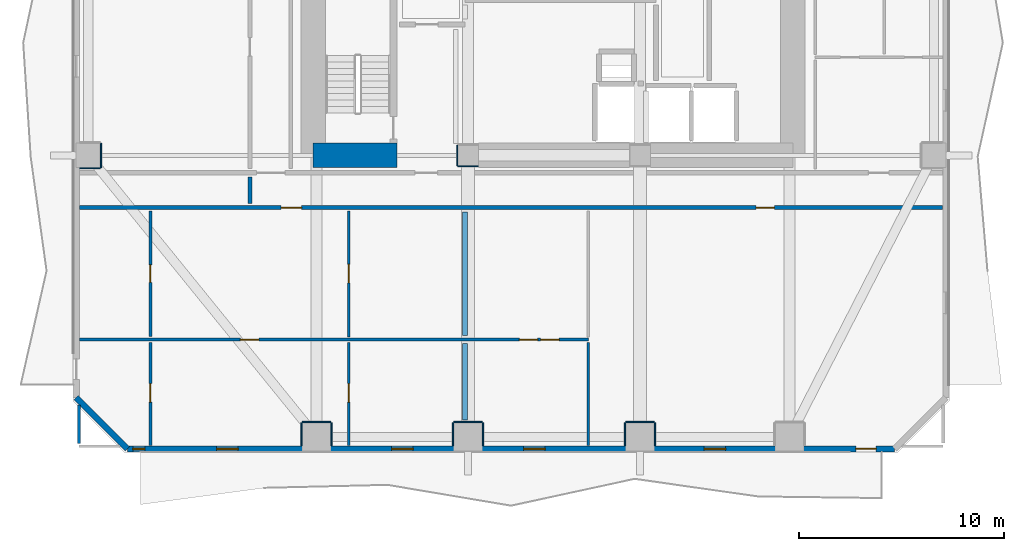
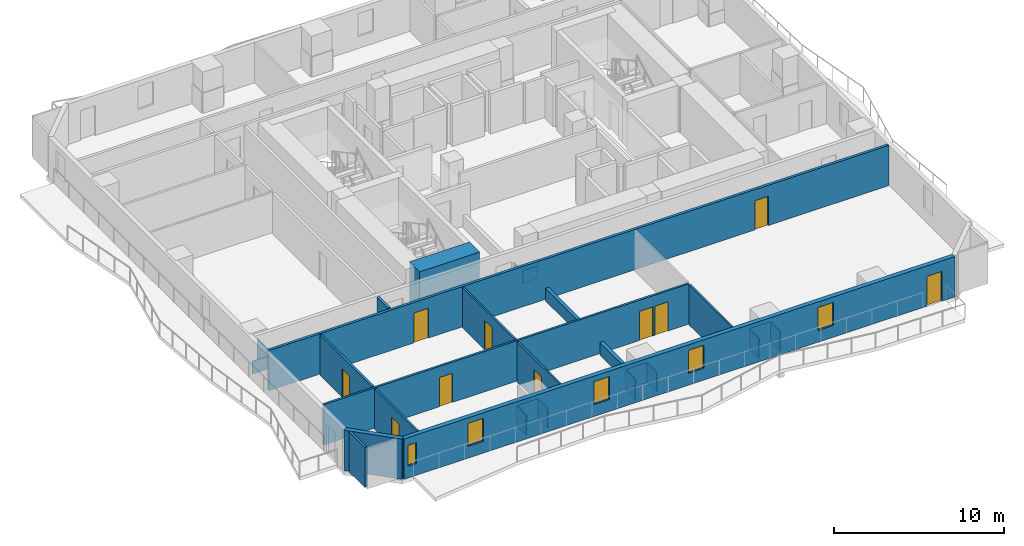
# One storey, part 2 of 10: 27 walls, 10 doors, 5 windows, 15 openings.
"""IFC4 building model written with IfcOpenShell, lengths in metres."""

from ifc_helpers import new_model, si_unit, direction, frame, frame_2d, origin, place, context, subcontext, project, spatial, rectangle, extrude, material, layer, layer_set, type_object, element, fill, save


model = new_model("IFC4")

# Units and contexts
model_context = context("Model", 3, precision=1e-05, world=origin(), true_north=direction((0.0, 1.0)))
body_context = subcontext(model_context, "Body", "Model", "MODEL_VIEW")
ifc_project = project(units=[si_unit("LENGTHUNIT", "METRE"), si_unit("AREAUNIT", "SQUARE_METRE"), si_unit("VOLUMEUNIT", "CUBIC_METRE"), si_unit("PLANEANGLEUNIT", "RADIAN"), si_unit("MASSUNIT", "GRAM", prefix="KILO")], contexts=[model_context])

# Site, building, storey
site_placement = place(None, origin())
site = spatial("IfcSite", under=ifc_project, at=site_placement, CompositionType="ELEMENT")
building_placement = place(site_placement, origin())
building = spatial("IfcBuilding", under=site, at=building_placement, Name="Solanera Arch Residences", CompositionType="ELEMENT")
storey_placement = place(building_placement, frame((0.0, 0.0, 38.60009765625)))
storey = spatial("IfcBuildingStorey", under=building, at=storey_placement, Name="L10", CompositionType="ELEMENT", Elevation=38.60009765625)

# Walls
ifc_material_1 = material(Name="Fire-Rated Gypsum Stud Partition", Category="gypsum")
ifc_layer_1 = layer(ifc_material_1, 0.06005859375)
ifc_layer_set_1 = layer_set([ifc_layer_1], Name="Fire-Rated Gypsum Stud Partition")
wall_type_1 = type_object("IfcWallType", Name="Column Acoustic Furring Wall 60", PredefinedType="PARTITIONING", material=ifc_layer_set_1)
wall_1_placement = place(storey_placement, frame((20.300048828125, 21.468017578125, 0.0), z_axis=(0.0, 0.0, 1.0), x_axis=(1.0, 0.0, 0.0)))
element("IfcWall", 1, at=wall_1_placement, inside=storey, type_object=wall_type_1, Name="L10 Column Furring 1S", PredefinedType="PARTITIONING", context=body_context, shape_type="SweptSolid", body=[
    extrude(rectangle(XDim=0.989990234375, YDim=0.06005859375, at=frame_2d((0.4951171875, 0.0))), origin(), (0.0, 0.0, 1.0), 0.90478515625),
])
wall_2_placement = place(storey_placement, frame((20.26806640625, 21.5, 0.0), z_axis=(0.0, 0.0, 1.0), x_axis=(0.0, 1.0, 0.0)))
element("IfcWall", 2, at=wall_2_placement, inside=storey, type_object=wall_type_1, Name="L10 Column Furring 1W", PredefinedType="PARTITIONING", context=body_context, shape_type="SweptSolid", body=[
    extrude(rectangle(XDim=1.0, YDim=0.06005859375, at=frame_2d((0.5, 0.0))), origin(), (0.0, 0.0, 1.0), 0.90478515625),
])
wall_3_placement = place(storey_placement, frame((12.699951171875, 8.98193359375, 0.0), z_axis=(0.0, 0.0, 1.0), x_axis=(1.0, 0.0, 0.0)))
element("IfcWall", 3, at=wall_3_placement, inside=storey, type_object=wall_type_1, Name="L10 Column Furring 9N", PredefinedType="PARTITIONING", context=body_context, shape_type="SweptSolid", body=[
    extrude(rectangle(XDim=1.400146484375, YDim=0.06005859375, at=frame_2d((0.7001953125, 0.0))), origin(), (0.0, 0.0, 1.0), 1.449951171875),
])
for number, where, z_axis, x_axis, name in (
    (4, (12.66796875, 7.830078125, 0.0), (0.0, 0.0, 1.0), (0.0, 1.0, 0.0), "L10 Column Furring 9W"),
    (5, (14.132080078125, 7.830078125, 0.0), (0.0, 0.0, 1.0), (0.0, 1.0, 0.0), "L10 Column Furring 9E"),
):
    element("IfcWall", number, at=place(storey_placement, frame(where, z_axis=z_axis, x_axis=x_axis)), inside=storey, type_object=wall_type_1, Name=name, PredefinedType="PARTITIONING", context=body_context, shape_type="SweptSolid", body=[
        extrude(rectangle(XDim=1.119873046875, YDim=0.06005859375, at=frame_2d((0.56005859375, 0.0))), origin(), (0.0, 0.0, 1.0), 1.449951171875),
    ])
wall_4_placement = place(storey_placement, frame((20.10009765625, 8.98193359375, 0.0), z_axis=(0.0, 0.0, 1.0), x_axis=(1.0, 0.0, 0.0)))
element("IfcWall", 6, at=wall_4_placement, inside=storey, type_object=wall_type_1, Name="L10 Column Furring 11N", PredefinedType="PARTITIONING", context=body_context, shape_type="SweptSolid", body=[
    extrude(rectangle(XDim=1.39990234375, YDim=0.06005859375, at=frame_2d((0.699951171875, 0.0))), origin(), (0.0, 0.0, 1.0), 1.449951171875),
])
for number, where, z_axis, x_axis, name in (
    (7, (20.068115234375, 7.830078125, 0.0), (0.0, 0.0, 1.0), (0.0, 1.0, 0.0), "L10 Column Furring 11W"),
    (8, (21.531982421875, 7.830078125, 0.0), (0.0, 0.0, 1.0), (0.0, 1.0, 0.0), "L10 Column Furring 11E"),
):
    element("IfcWall", number, at=place(storey_placement, frame(where, z_axis=z_axis, x_axis=x_axis)), inside=storey, type_object=wall_type_1, Name=name, PredefinedType="PARTITIONING", context=body_context, shape_type="SweptSolid", body=[
        extrude(rectangle(XDim=1.119873046875, YDim=0.06005859375, at=frame_2d((0.56005859375, 0.0))), origin(), (0.0, 0.0, 1.0), 1.449951171875),
    ])
wall_5_placement = place(storey_placement, frame((28.5, 8.98193359375, 0.0), z_axis=(0.0, 0.0, 1.0), x_axis=(1.0, 0.0, 0.0)))
element("IfcWall", 9, at=wall_5_placement, inside=storey, type_object=wall_type_1, Name="L10 Column Furring 13N", PredefinedType="PARTITIONING", context=body_context, shape_type="SweptSolid", body=[
    extrude(rectangle(XDim=1.39990234375, YDim=0.06005859375, at=frame_2d((0.699951171875, 0.0))), origin(), (0.0, 0.0, 1.0), 1.449951171875),
])
for number, where, z_axis, x_axis, name in (
    (10, (28.468017578125, 7.830078125, 0.0), (0.0, 0.0, 1.0), (0.0, 1.0, 0.0), "L10 Column Furring 13W"),
    (11, (29.931884765625, 7.830078125, 0.0), (0.0, 0.0, 1.0), (0.0, 1.0, 0.0), "L10 Column Furring 13E"),
):
    element("IfcWall", number, at=place(storey_placement, frame(where, z_axis=z_axis, x_axis=x_axis)), inside=storey, type_object=wall_type_1, Name=name, PredefinedType="PARTITIONING", context=body_context, shape_type="SweptSolid", body=[
        extrude(rectangle(XDim=1.119873046875, YDim=0.06005859375, at=frame_2d((0.56005859375, 0.0))), origin(), (0.0, 0.0, 1.0), 1.449951171875),
    ])
wall_6_placement = place(storey_placement, frame((1.830078125, 21.367919921875, 0.0), z_axis=(0.0, 0.0, 1.0), x_axis=(1.0, 0.0, 0.0)))
element("IfcWall", 12, at=wall_6_placement, inside=storey, type_object=wall_type_1, Name="L10 Column Furring 17S", PredefinedType="PARTITIONING", context=body_context, shape_type="SweptSolid", body=[
    extrude(rectangle(XDim=1.02001953125, YDim=0.06005859375, at=frame_2d((0.510009765625, 0.0))), origin(), (0.0, 0.0, 1.0), 0.90478515625),
])
wall_7_placement = place(storey_placement, frame((2.882080078125, 21.39990234375, 0.0), z_axis=(0.0, 0.0, 1.0), x_axis=(0.0, 1.0, 0.0)))
element("IfcWall", 13, at=wall_7_placement, inside=storey, type_object=wall_type_1, Name="L10 Column Furring 17E", PredefinedType="PARTITIONING", context=body_context, shape_type="SweptSolid", body=[
    extrude(rectangle(XDim=1.2001953125, YDim=0.06005859375, at=frame_2d((0.60009765625, 0.0))), origin(), (0.0, 0.0, 1.0), 1.449951171875),
])
ifc_material_2 = material(Name="Concrete C55/67 (f'c = 60 MPa)", Category="concrete")
ifc_layer_2 = layer(ifc_material_2, 1.199951171875)
ifc_layer_set_2 = layer_set([ifc_layer_2], Name="Concrete C55/67 (f'c = 60 MPa)")
wall_type_2 = type_object("IfcWallType", Name="Core Shear Wall CW-1200", PredefinedType="SHEAR", material=ifc_layer_set_2)
wall_8_placement = place(storey_placement, frame((13.239990234375, 22.0, 0.0), z_axis=(0.0, 0.0, 1.0), x_axis=(1.0, 0.0, 0.0)))
element("IfcWall", 14, at=wall_8_placement, inside=storey, type_object=wall_type_2, Name="L10 South-West Core Shear Wall", PredefinedType="SHEAR", context=body_context, shape_type="SweptSolid", body=[
    extrude(rectangle(XDim=4.080078125, YDim=1.199951171875, at=frame_2d((2.0400390625, 0.0))), origin(), (0.0, 0.0, 1.0), 3.31982421875),
])

# Wall, openings, doors
ifc_material_3 = material(Name="Autoclaved Aerated Concrete Blockwork", Category="masonry")
ifc_layer_3 = layer(ifc_material_3, 0.179931640625)
ifc_layer_set_3 = layer_set([ifc_layer_3], Name="Autoclaved Aerated Concrete Blockwork")
wall_type_3 = type_object("IfcWallType", Name="Corridor Fire Partition 180", PredefinedType="PARTITIONING", material=ifc_layer_set_3)
wall_9_placement = place(storey_placement, frame((1.826904296875, 19.449951171875, 0.0), z_axis=(0.0, 0.0, 1.0), x_axis=(1.0, 0.0, 0.0)))
wall_9 = element("IfcWall", 15, at=wall_9_placement, inside=storey, type_object=wall_type_3, Name="L10 Interior Partition H6", PredefinedType="PARTITIONING", context=body_context, shape_type="SweptSolid", body=[
    extrude(rectangle(XDim=42.14599609375, YDim=0.179931640625, at=frame_2d((21.072998046875, 0.0))), origin(), (0.0, 0.0, 1.0), 2.89990234375),
])
opening_1_placement = place(wall_9_placement, frame((9.847900390625, 0.0, 0.0)))
opening_1 = element("IfcOpeningElement", 16, at=opening_1_placement, cuts=wall_9, Name="Opening DI-01", PredefinedType="OPENING", context=body_context, shape_type="SweptSolid", body=[
    extrude(rectangle(XDim=1.0, YDim=2.14990234375, at=frame_2d((0.5, 1.074951171875))), frame((0.0, 0.10009765625, 0.0), z_axis=(0.0, -1.0, 0.0), x_axis=(1.0, 0.0, 0.0)), (0.0, 0.0, 1.0), 0.1999),
])
opening_2_placement = place(wall_9_placement, frame((33.0380859375, 0.0, 0.0)))
opening_2 = element("IfcOpeningElement", 17, at=opening_2_placement, cuts=wall_9, Name="Opening DI-02", PredefinedType="OPENING", context=body_context, shape_type="SweptSolid", body=[
    extrude(rectangle(XDim=0.89990234375, YDim=2.10009765625, at=frame_2d((0.449951171875, 1.050048828125))), frame((0.0, 0.10009765625, 0.0), z_axis=(0.0, -1.0, 0.0), x_axis=(1.0, 0.0, 0.0)), (0.0, 0.0, 1.0), 0.1999),
])
ifc_material_4 = material(Name="Fire-Rated Architectural Hardwood", Category="wood")
door_type_1 = type_object("IfcDoorType", Name="Suite Room Swing Door DI-02", OperationType="NOTDEFINED", PredefinedType="DOOR", material=ifc_material_4)
door_1_placement = place(opening_2_placement, origin())
door_1 = element("IfcDoor", 18, at=door_1_placement, inside=storey, type_object=door_type_1, Name="DR-L10-IN-021", OperationType="SINGLE_SWING_RIGHT", OverallHeight=2.10009765625, OverallWidth=0.89990234375, PredefinedType="DOOR", context=body_context, shape_type="SweptSolid", body=[
    extrude(rectangle(XDim=0.89990234375, YDim=2.10009765625, at=frame_2d((0.449951171875, 1.050048828125))), frame((0.0, 0.02490234375, 0.0), z_axis=(0.0, -1.0, 0.0), x_axis=(1.0, 0.0, 0.0)), (0.0, 0.0, 1.0), 0.050048828125),
])
fill(opening_2, door_1)
ifc_material_5 = material(Name="Fire-Rated Architectural Hardwood", Category="wood")
door_type_2 = type_object("IfcDoorType", Name="Unit Entrance Fire Door DI-01", OperationType="NOTDEFINED", PredefinedType="DOOR", material=ifc_material_5)
door_2_placement = place(opening_1_placement, origin())
door_2 = element("IfcDoor", 19, at=door_2_placement, inside=storey, type_object=door_type_2, Name="DR-L10-IN-013", OperationType="SINGLE_SWING_RIGHT", OverallHeight=2.14990234375, OverallWidth=1.0, PredefinedType="DOOR", context=body_context, shape_type="SweptSolid", body=[
    extrude(rectangle(XDim=1.0, YDim=2.14990234375, at=frame_2d((0.5, 1.074951171875))), frame((0.0, 0.02490234375, 0.0), z_axis=(0.0, -1.0, 0.0), x_axis=(1.0, 0.0, 0.0)), (0.0, 0.0, 1.0), 0.050048828125),
])
fill(opening_1, door_2)

# Wall
wall_10_placement = place(storey_placement, frame((10.14990234375, 19.637939453125, 0.0), z_axis=(0.0, 0.0, 1.0), x_axis=(0.0, 1.0, 0.0)))
element("IfcWall", 20, at=wall_10_placement, inside=storey, type_object=wall_type_3, Name="L10 Interior Partition V8 1", PredefinedType="PARTITIONING", context=body_context, shape_type="SweptSolid", body=[
    extrude(rectangle(XDim=1.2939453125, YDim=0.179931640625, at=frame_2d((0.64697265625, 0.0))), origin(), (0.0, 0.0, 1.0), 2.89990234375),
])

# Wall, openings, door, windows
ifc_material_6 = material(Name="Precast Concrete C35/45", Category="concrete")
ifc_layer_4 = layer(ifc_material_6, 0.300048828125)
ifc_layer_set_4 = layer_set([ifc_layer_4], Name="Precast Concrete C35/45")
wall_type_4 = type_object("IfcWallType", Name="Exterior Wall Precast Masonry-Frame 300", PredefinedType="STANDARD", material=ifc_layer_set_4)
wall_11_placement = place(storey_placement, frame((41.635009765625, 7.6650390625, 0.0), z_axis=(0.0, 0.0, 1.0), x_axis=(-1.0, 0.0, 0.0)))
wall_11 = element("IfcWall", 21, at=wall_11_placement, inside=storey, type_object=wall_type_4, Name="L10 Tower Exterior Precast Masonry-Frame Wall S", PredefinedType="STANDARD", context=body_context, shape_type="SweptSolid", body=[
    extrude(rectangle(XDim=37.469970703125, YDim=0.300048828125, at=frame_2d((18.73486328125, 0.0))), origin(), (0.0, 0.0, 1.0), 2.89990234375),
])
opening_3_placement = place(wall_11_placement, frame((0.90087890625, 0.0, 0.0)))
opening_3 = element("IfcOpeningElement", 22, at=opening_3_placement, cuts=wall_11, Name="Opening DB-01", PredefinedType="OPENING", context=body_context, shape_type="SweptSolid", body=[
    extrude(rectangle(XDim=1.0, YDim=2.14990234375, at=frame_2d((0.5, 1.074951171875))), frame((0.0, 0.159912109375, 0.0), z_axis=(0.0, -1.0, 0.0), x_axis=(1.0, 0.0, 0.0)), (0.0, 0.0, 1.0), 0.32),
])
opening_4_placement = place(wall_11_placement, frame((32.06396484375, 0.0, 0.85009765625)))
opening_4 = element("IfcOpeningElement", 23, at=opening_4_placement, cuts=wall_11, Name="Opening W-07", PredefinedType="OPENING", context=body_context, shape_type="SweptSolid", body=[
    extrude(rectangle(XDim=1.050048828125, YDim=1.64990234375, at=frame_2d((0.52490234375, 0.824951171875))), frame((0.0, 0.159912109375, 0.0), z_axis=(0.0, -1.0, 0.0), x_axis=(1.0, 0.0, 0.0)), (0.0, 0.0, 1.0), 0.32),
])
opening_5_placement = place(wall_11_placement, frame((36.62109375, 0.0, 0.85009765625)))
opening_5 = element("IfcOpeningElement", 24, at=opening_5_placement, cuts=wall_11, Name="Opening W-14", PredefinedType="OPENING", context=body_context, shape_type="SweptSolid", body=[
    extrude(rectangle(XDim=0.580078125, YDim=1.5, at=frame_2d((0.2900390625, 0.75))), frame((0.0, 0.159912109375, 0.0), z_axis=(0.0, -1.0, 0.0), x_axis=(1.0, 0.0, 0.0)), (0.0, 0.0, 1.0), 0.32),
])
opening_6_placement = place(wall_11_placement, frame((23.52001953125, 0.0, 0.85009765625)))
opening_6 = element("IfcOpeningElement", 25, at=opening_6_placement, cuts=wall_11, Name="Opening W-07", PredefinedType="OPENING", context=body_context, shape_type="SweptSolid", body=[
    extrude(rectangle(XDim=1.050048828125, YDim=1.64990234375, at=frame_2d((0.52490234375, 0.824951171875))), frame((0.0, 0.159912109375, 0.0), z_axis=(0.0, -1.0, 0.0), x_axis=(1.0, 0.0, 0.0)), (0.0, 0.0, 1.0), 0.32),
])
opening_7_placement = place(wall_11_placement, frame((17.070068359375, 0.0, 0.85009765625)))
opening_7 = element("IfcOpeningElement", 26, at=opening_7_placement, cuts=wall_11, Name="Opening W-07", PredefinedType="OPENING", context=body_context, shape_type="SweptSolid", body=[
    extrude(rectangle(XDim=1.050048828125, YDim=1.64990234375, at=frame_2d((0.52490234375, 0.824951171875))), frame((0.0, 0.159912109375, 0.0), z_axis=(0.0, -1.0, 0.0), x_axis=(1.0, 0.0, 0.0)), (0.0, 0.0, 1.0), 0.32),
])
opening_8_placement = place(wall_11_placement, frame((8.260009765625, 0.0, 0.85009765625)))
opening_8 = element("IfcOpeningElement", 27, at=opening_8_placement, cuts=wall_11, Name="Opening W-07", PredefinedType="OPENING", context=body_context, shape_type="SweptSolid", body=[
    extrude(rectangle(XDim=1.050048828125, YDim=1.64990234375, at=frame_2d((0.52490234375, 0.824951171875))), frame((0.0, 0.159912109375, 0.0), z_axis=(0.0, -1.0, 0.0), x_axis=(1.0, 0.0, 0.0)), (0.0, 0.0, 1.0), 0.32),
])
ifc_material_7 = material(Name="Anodised Aluminium Alloy 6063-T6", Category="aluminium")
door_type_3 = type_object("IfcDoorType", Name="Glazed Balcony Swing Door DB-01", OperationType="NOTDEFINED", PredefinedType="DOOR", material=ifc_material_7)
door_3_placement = place(opening_3_placement, origin())
door_3 = element("IfcDoor", 28, at=door_3_placement, inside=storey, type_object=door_type_3, Name="DR-L10-OUT-01", OperationType="SINGLE_SWING_RIGHT", OverallHeight=2.14990234375, OverallWidth=1.0, PredefinedType="DOOR", context=body_context, shape_type="SweptSolid", body=[
    extrude(rectangle(XDim=1.0, YDim=2.14990234375, at=frame_2d((0.5, 1.074951171875))), frame((0.0, 0.02490234375, 0.0), z_axis=(0.0, -1.0, 0.0), x_axis=(1.0, 0.0, 0.0)), (0.0, 0.0, 1.0), 0.050048828125),
])
fill(opening_3, door_3)
ifc_material_8 = material(Name="Double Glazed Low-E Laminated Glass", Category="glass")
window_type_1 = type_object("IfcWindowType", Name="Punched Window W-07", PartitioningType="SINGLE_PANEL", PredefinedType="WINDOW", material=ifc_material_8)
window_1_placement = place(opening_4_placement, origin())
window_1 = element("IfcWindow", 29, at=window_1_placement, inside=storey, type_object=window_type_1, Name="L10 1001-LIV Punched Window", OverallHeight=1.64990234375, OverallWidth=1.050048828125, PartitioningType="SINGLE_PANEL", PredefinedType="WINDOW", context=body_context, shape_type="SweptSolid", body=[
    extrude(rectangle(XDim=1.050048828125, YDim=1.64990234375, at=frame_2d((0.52490234375, 0.824951171875))), frame((0.0, 0.030029296875, 0.0), z_axis=(0.0, -1.0, 0.0), x_axis=(1.0, 0.0, 0.0)), (0.0, 0.0, 1.0), 0.06005859375),
])
fill(opening_4, window_1)
window_2_placement = place(opening_6_placement, origin())
window_2 = element("IfcWindow", 30, at=window_2_placement, inside=storey, type_object=window_type_1, Name="L10 1001-BR2 Punched Window", OverallHeight=1.64990234375, OverallWidth=1.050048828125, PartitioningType="SINGLE_PANEL", PredefinedType="WINDOW", context=body_context, shape_type="SweptSolid", body=[
    extrude(rectangle(XDim=1.050048828125, YDim=1.64990234375, at=frame_2d((0.52490234375, 0.824951171875))), frame((0.0, 0.030029296875, 0.0), z_axis=(0.0, -1.0, 0.0), x_axis=(1.0, 0.0, 0.0)), (0.0, 0.0, 1.0), 0.06005859375),
])
fill(opening_6, window_2)
window_3_placement = place(opening_7_placement, origin())
window_3 = element("IfcWindow", 31, at=window_3_placement, inside=storey, type_object=window_type_1, Name="L10 1001-BR3 Punched Window", OverallHeight=1.64990234375, OverallWidth=1.050048828125, PartitioningType="SINGLE_PANEL", PredefinedType="WINDOW", context=body_context, shape_type="SweptSolid", body=[
    extrude(rectangle(XDim=1.050048828125, YDim=1.64990234375, at=frame_2d((0.52490234375, 0.824951171875))), frame((0.0, 0.030029296875, 0.0), z_axis=(0.0, -1.0, 0.0), x_axis=(1.0, 0.0, 0.0)), (0.0, 0.0, 1.0), 0.06005859375),
])
fill(opening_7, window_3)
window_4_placement = place(opening_8_placement, origin())
window_4 = element("IfcWindow", 32, at=window_4_placement, inside=storey, type_object=window_type_1, Name="L10 AMN-LNG Punched Window", OverallHeight=1.64990234375, OverallWidth=1.050048828125, PartitioningType="SINGLE_PANEL", PredefinedType="WINDOW", context=body_context, shape_type="SweptSolid", body=[
    extrude(rectangle(XDim=1.050048828125, YDim=1.64990234375, at=frame_2d((0.52490234375, 0.824951171875))), frame((0.0, 0.030029296875, 0.0), z_axis=(0.0, -1.0, 0.0), x_axis=(1.0, 0.0, 0.0)), (0.0, 0.0, 1.0), 0.06005859375),
])
fill(opening_8, window_4)
ifc_material_9 = material(Name="Double Glazed Low-E Laminated Glass", Category="glass")
window_type_2 = type_object("IfcWindowType", Name="Punched Window W-14", PartitioningType="SINGLE_PANEL", PredefinedType="WINDOW", material=ifc_material_9)
window_5_placement = place(opening_5_placement, origin())
window_5 = element("IfcWindow", 33, at=window_5_placement, inside=storey, type_object=window_type_2, Name="L10 1001-BR1 Punched Window", OverallHeight=1.5, OverallWidth=0.580078125, PartitioningType="SINGLE_PANEL", PredefinedType="WINDOW", context=body_context, shape_type="SweptSolid", body=[
    extrude(rectangle(XDim=0.580078125, YDim=1.5, at=frame_2d((0.2900390625, 0.75))), frame((0.0, 0.030029296875, 0.0), z_axis=(0.0, -1.0, 0.0), x_axis=(1.0, 0.0, 0.0)), (0.0, 0.0, 1.0), 0.06005859375),
])
fill(opening_5, window_5)

# Walls
wall_12_placement = place(storey_placement, frame((4.1650390625, 7.6650390625, 0.0), z_axis=(0.0, 0.0, 1.0), x_axis=(-0.707106781187, 0.707106781187, 0.0)))
element("IfcWall", 34, at=wall_12_placement, inside=storey, type_object=wall_type_4, Name="L10 Tower Exterior Precast Masonry-Frame Wall CH7", PredefinedType="STANDARD", context=body_context, shape_type="SweptSolid", body=[
    extrude(rectangle(XDim=3.53564453125, YDim=0.300048828125, at=frame_2d((1.767822265625, 0.0))), origin(), (0.0, 0.0, 1.0), 2.89990234375),
])
ifc_material_10 = material(Name="Autoclaved Aerated Concrete Blockwork", Category="masonry")
ifc_layer_5 = layer(ifc_material_10, 0.239990234375)
ifc_layer_set_5 = layer_set([ifc_layer_5], Name="Autoclaved Aerated Concrete Blockwork")
wall_type_5 = type_object("IfcWallType", Name="Shaft Wall Fire-Rated 240", PredefinedType="PARTITIONING", material=ifc_layer_set_5)
wall_13_placement = place(storey_placement, frame((20.64990234375, 9.08203125, 0.0), z_axis=(0.0, 0.0, 1.0), x_axis=(0.0, 1.0, 0.0)))
element("IfcWall", 35, at=wall_13_placement, inside=storey, type_object=wall_type_5, Name="L10 Interior Partition V3 1", PredefinedType="PARTITIONING", context=body_context, shape_type="SweptSolid", body=[
    extrude(rectangle(XDim=3.719970703125, YDim=0.239990234375, at=frame_2d((1.85986328125, 0.0))), origin(), (0.0, 0.0, 1.0), 0.90478515625),
])
wall_14_placement = place(storey_placement, frame((20.64990234375, 13.197998046875, 0.0), z_axis=(0.0, 0.0, 1.0), x_axis=(0.0, 1.0, 0.0)))
element("IfcWall", 36, at=wall_14_placement, inside=storey, type_object=wall_type_5, Name="L10 Interior Partition V3 2", PredefinedType="PARTITIONING", context=body_context, shape_type="SweptSolid", body=[
    extrude(rectangle(XDim=6.033935546875, YDim=0.239990234375, at=frame_2d((3.01708984375, 0.0))), origin(), (0.0, 0.0, 1.0), 0.90478515625),
])

# Wall, opening, door
ifc_material_11 = material(Name="Fire-Rated Gypsum Stud Partition", Category="gypsum")
ifc_layer_6 = layer(ifc_material_11, 0.1201171875)
ifc_layer_set_6 = layer_set([ifc_layer_6], Name="Fire-Rated Gypsum Stud Partition")
wall_type_6 = type_object("IfcWallType", Name="Unit Drywall Partition 120", PredefinedType="PARTITIONING", material=ifc_layer_set_6)
wall_15_placement = place(storey_placement, frame((14.97998046875, 7.826904296875, 0.0), z_axis=(0.0, 0.0, 1.0), x_axis=(0.0, 1.0, 0.0)))
wall_15 = element("IfcWall", 37, at=wall_15_placement, inside=storey, type_object=wall_type_6, Name="L10 Interior Partition V18 1", PredefinedType="PARTITIONING", context=body_context, shape_type="SweptSolid", body=[
    extrude(rectangle(XDim=5.03515625, YDim=0.1201171875, at=frame_2d((2.517578125, 0.0))), origin(), (0.0, 0.0, 1.0), 2.89990234375),
])
opening_9_placement = place(wall_15_placement, frame((2.123046875, 0.0, 0.0)))
opening_9 = element("IfcOpeningElement", 38, at=opening_9_placement, cuts=wall_15, Name="Opening DI-03", PredefinedType="OPENING", context=body_context, shape_type="SweptSolid", body=[
    extrude(rectangle(XDim=0.89990234375, YDim=2.10009765625, at=frame_2d((0.449951171875, 1.050048828125))), frame((0.0, 0.070068359375, 0.0), z_axis=(0.0, -1.0, 0.0), x_axis=(1.0, 0.0, 0.0)), (0.0, 0.0, 1.0), 0.1401),
])
ifc_material_12 = material(Name="Fire-Rated Architectural Hardwood", Category="wood")
door_type_4 = type_object("IfcDoorType", Name="Bedroom Swing Door DI-03", OperationType="NOTDEFINED", PredefinedType="DOOR", material=ifc_material_12)
door_4_placement = place(opening_9_placement, origin())
door_4 = element("IfcDoor", 39, at=door_4_placement, inside=storey, type_object=door_type_4, Name="DR-L10-IN-019", OperationType="SINGLE_SWING_RIGHT", OverallHeight=2.10009765625, OverallWidth=0.89990234375, PredefinedType="DOOR", context=body_context, shape_type="SweptSolid", body=[
    extrude(rectangle(XDim=0.89990234375, YDim=2.10009765625, at=frame_2d((0.449951171875, 1.050048828125))), frame((0.0, 0.02490234375, 0.0), z_axis=(0.0, -1.0, 0.0), x_axis=(1.0, 0.0, 0.0)), (0.0, 0.0, 1.0), 0.050048828125),
])
fill(opening_9, door_4)

wall_16_placement = place(storey_placement, frame((14.97998046875, 13.137939453125, 0.0), z_axis=(0.0, 0.0, 1.0), x_axis=(0.0, 1.0, 0.0)))
wall_16 = element("IfcWall", 40, at=wall_16_placement, inside=storey, type_object=wall_type_6, Name="L10 Interior Partition V18 2", PredefinedType="PARTITIONING", context=body_context, shape_type="SweptSolid", body=[
    extrude(rectangle(XDim=6.154052734375, YDim=0.1201171875, at=frame_2d((3.0771484375, 0.0))), origin(), (0.0, 0.0, 1.0), 2.89990234375),
])
opening_10_placement = place(wall_16_placement, frame((2.636962890625, 0.0, 0.0)))
opening_10 = element("IfcOpeningElement", 41, at=opening_10_placement, cuts=wall_16, Name="Opening DI-02", PredefinedType="OPENING", context=body_context, shape_type="SweptSolid", body=[
    extrude(rectangle(XDim=0.89990234375, YDim=2.10009765625, at=frame_2d((0.449951171875, 1.050048828125))), frame((0.0, 0.070068359375, 0.0), z_axis=(0.0, -1.0, 0.0), x_axis=(1.0, 0.0, 0.0)), (0.0, 0.0, 1.0), 0.1401),
])
door_5_placement = place(opening_10_placement, origin())
door_5 = element("IfcDoor", 42, at=door_5_placement, inside=storey, type_object=door_type_1, Name="DR-L10-IN-017", OperationType="SINGLE_SWING_RIGHT", OverallHeight=2.10009765625, OverallWidth=0.89990234375, PredefinedType="DOOR", context=body_context, shape_type="SweptSolid", body=[
    extrude(rectangle(XDim=0.89990234375, YDim=2.10009765625, at=frame_2d((0.449951171875, 1.050048828125))), frame((0.0, 0.02490234375, 0.0), z_axis=(0.0, -1.0, 0.0), x_axis=(1.0, 0.0, 0.0)), (0.0, 0.0, 1.0), 0.050048828125),
])
fill(opening_10, door_5)

# Wall
wall_17_placement = place(storey_placement, frame((26.678955078125, 7.826904296875, 0.0), z_axis=(0.0, 0.0, 1.0), x_axis=(0.0, 1.0, 0.0)))
element("IfcWall", 43, at=wall_17_placement, inside=storey, type_object=wall_type_6, Name="L10 Interior Partition V20 1", PredefinedType="PARTITIONING", context=body_context, shape_type="SweptSolid", body=[
    extrude(rectangle(XDim=5.03515625, YDim=0.1201171875, at=frame_2d((2.517578125, 0.0))), origin(), (0.0, 0.0, 1.0), 2.89990234375),
])

# Wall, openings, doors
ifc_material_13 = material(Name="Autoclaved Aerated Concrete Blockwork", Category="masonry")
ifc_layer_7 = layer(ifc_material_13, 0.139892578125)
ifc_layer_set_7 = layer_set([ifc_layer_7], Name="Autoclaved Aerated Concrete Blockwork")
wall_type_7 = type_object("IfcWallType", Name="Wet-Room Partition 140", PredefinedType="PARTITIONING", material=ifc_layer_set_7)
wall_18_placement = place(storey_placement, frame((1.826904296875, 13.0, 0.0), z_axis=(0.0, 0.0, 1.0), x_axis=(1.0, 0.0, 0.0)))
wall_18 = element("IfcWall", 44, at=wall_18_placement, inside=storey, type_object=wall_type_7, Name="L10 Interior Partition H12", PredefinedType="PARTITIONING", context=body_context, shape_type="SweptSolid", body=[
    extrude(rectangle(XDim=24.85205078125, YDim=0.139892578125, at=frame_2d((12.426025390625, 0.0))), origin(), (0.0, 0.0, 1.0), 2.89990234375),
])
opening_11_placement = place(wall_18_placement, frame((7.85888671875, 0.0, 0.0)))
opening_11 = element("IfcOpeningElement", 45, at=opening_11_placement, cuts=wall_18, Name="Opening DI-02", PredefinedType="OPENING", context=body_context, shape_type="SweptSolid", body=[
    extrude(rectangle(XDim=0.89990234375, YDim=2.10009765625, at=frame_2d((0.449951171875, 1.050048828125))), frame((0.0, 0.079833984375, 0.0), z_axis=(0.0, -1.0, 0.0), x_axis=(1.0, 0.0, 0.0)), (0.0, 0.0, 1.0), 0.1599),
])
opening_12_placement = place(wall_18_placement, frame((21.47705078125, 0.0, 0.0)))
opening_12 = element("IfcOpeningElement", 46, at=opening_12_placement, cuts=wall_18, Name="Opening DI-02", PredefinedType="OPENING", context=body_context, shape_type="SweptSolid", body=[
    extrude(rectangle(XDim=0.89990234375, YDim=2.10009765625, at=frame_2d((0.449951171875, 1.050048828125))), frame((0.0, 0.079833984375, 0.0), z_axis=(0.0, -1.0, 0.0), x_axis=(1.0, 0.0, 0.0)), (0.0, 0.0, 1.0), 0.1599),
])
opening_13_placement = place(wall_18_placement, frame((22.51708984375, 0.0, 0.0)))
opening_13 = element("IfcOpeningElement", 47, at=opening_13_placement, cuts=wall_18, Name="Opening DI-03", PredefinedType="OPENING", context=body_context, shape_type="SweptSolid", body=[
    extrude(rectangle(XDim=0.89990234375, YDim=2.10009765625, at=frame_2d((0.449951171875, 1.050048828125))), frame((0.0, 0.079833984375, 0.0), z_axis=(0.0, -1.0, 0.0), x_axis=(1.0, 0.0, 0.0)), (0.0, 0.0, 1.0), 0.1599),
])
door_6_placement = place(opening_13_placement, origin())
door_6 = element("IfcDoor", 48, at=door_6_placement, inside=storey, type_object=door_type_4, Name="DR-L10-IN-020", OperationType="SINGLE_SWING_LEFT", OverallHeight=2.10009765625, OverallWidth=0.89990234375, PredefinedType="DOOR", context=body_context, shape_type="SweptSolid", body=[
    extrude(rectangle(XDim=0.89990234375, YDim=2.10009765625, at=frame_2d((0.449951171875, 1.050048828125))), frame((0.0, 0.02490234375, 0.0), z_axis=(0.0, -1.0, 0.0), x_axis=(1.0, 0.0, 0.0)), (0.0, 0.0, 1.0), 0.050048828125),
])
fill(opening_13, door_6)
door_7_placement = place(opening_11_placement, origin())
door_7 = element("IfcDoor", 49, at=door_7_placement, inside=storey, type_object=door_type_1, Name="DR-L10-IN-014", OperationType="SINGLE_SWING_LEFT", OverallHeight=2.10009765625, OverallWidth=0.89990234375, PredefinedType="DOOR", context=body_context, shape_type="SweptSolid", body=[
    extrude(rectangle(XDim=0.89990234375, YDim=2.10009765625, at=frame_2d((0.449951171875, 1.050048828125))), frame((0.0, 0.02490234375, 0.0), z_axis=(0.0, -1.0, 0.0), x_axis=(1.0, 0.0, 0.0)), (0.0, 0.0, 1.0), 0.050048828125),
])
fill(opening_11, door_7)
door_8_placement = place(opening_12_placement, origin())
door_8 = element("IfcDoor", 50, at=door_8_placement, inside=storey, type_object=door_type_1, Name="DR-L10-IN-018", OperationType="SINGLE_SWING_LEFT", OverallHeight=2.10009765625, OverallWidth=0.89990234375, PredefinedType="DOOR", context=body_context, shape_type="SweptSolid", body=[
    extrude(rectangle(XDim=0.89990234375, YDim=2.10009765625, at=frame_2d((0.449951171875, 1.050048828125))), frame((0.0, 0.02490234375, 0.0), z_axis=(0.0, -1.0, 0.0), x_axis=(1.0, 0.0, 0.0)), (0.0, 0.0, 1.0), 0.050048828125),
])
fill(opening_12, door_8)

# Wall
wall_19_placement = place(storey_placement, frame((1.800048828125, 7.93798828125, 0.0), z_axis=(0.0, 0.0, 1.0), x_axis=(0.0, 1.0, 0.0)))
element("IfcWall", 51, at=wall_19_placement, inside=storey, type_object=wall_type_7, Name="L10 Interior Partition V12", PredefinedType="PARTITIONING", context=body_context, shape_type="SweptSolid", body=[
    extrude(rectangle(XDim=1.863037109375, YDim=0.139892578125, at=frame_2d((0.931640625, 0.0))), origin(), (0.0, 0.0, 1.0), 2.89990234375),
])

# Wall, opening, door
wall_20_placement = place(storey_placement, frame((5.2919921875, 7.826904296875, 0.0), z_axis=(0.0, 0.0, 1.0), x_axis=(0.0, 1.0, 0.0)))
wall_20 = element("IfcWall", 52, at=wall_20_placement, inside=storey, type_object=wall_type_7, Name="L10 Interior Partition V15 1", PredefinedType="PARTITIONING", context=body_context, shape_type="SweptSolid", body=[
    extrude(rectangle(XDim=5.025146484375, YDim=0.139892578125, at=frame_2d((2.5126953125, 0.0))), origin(), (0.0, 0.0, 1.0), 2.89990234375),
])
opening_14_placement = place(wall_20_placement, frame((2.123046875, 0.0, 0.0)))
opening_14 = element("IfcOpeningElement", 53, at=opening_14_placement, cuts=wall_20, Name="Opening DI-03", PredefinedType="OPENING", context=body_context, shape_type="SweptSolid", body=[
    extrude(rectangle(XDim=0.89990234375, YDim=2.10009765625, at=frame_2d((0.449951171875, 1.050048828125))), frame((0.0, 0.079833984375, 0.0), z_axis=(0.0, -1.0, 0.0), x_axis=(1.0, 0.0, 0.0)), (0.0, 0.0, 1.0), 0.1599),
])
door_9_placement = place(opening_14_placement, origin())
door_9 = element("IfcDoor", 54, at=door_9_placement, inside=storey, type_object=door_type_4, Name="DR-L10-IN-016", OperationType="SINGLE_SWING_LEFT", OverallHeight=2.10009765625, OverallWidth=0.89990234375, PredefinedType="DOOR", context=body_context, shape_type="SweptSolid", body=[
    extrude(rectangle(XDim=0.89990234375, YDim=2.10009765625, at=frame_2d((0.449951171875, 1.050048828125))), frame((0.0, 0.02490234375, 0.0), z_axis=(0.0, -1.0, 0.0), x_axis=(1.0, 0.0, 0.0)), (0.0, 0.0, 1.0), 0.050048828125),
])
fill(opening_14, door_9)

wall_21_placement = place(storey_placement, frame((5.2919921875, 13.14794921875, 0.0), z_axis=(0.0, 0.0, 1.0), x_axis=(0.0, 1.0, 0.0)))
wall_21 = element("IfcWall", 55, at=wall_21_placement, inside=storey, type_object=wall_type_7, Name="L10 Interior Partition V15 2", PredefinedType="PARTITIONING", context=body_context, shape_type="SweptSolid", body=[
    extrude(rectangle(XDim=6.134033203125, YDim=0.139892578125, at=frame_2d((3.06689453125, 0.0))), origin(), (0.0, 0.0, 1.0), 2.89990234375),
])
opening_15_placement = place(wall_21_placement, frame((2.64697265625, 0.0, 0.0)))
opening_15 = element("IfcOpeningElement", 56, at=opening_15_placement, cuts=wall_21, Name="Opening DI-05", PredefinedType="OPENING", context=body_context, shape_type="SweptSolid", body=[
    extrude(rectangle(XDim=0.860107421875, YDim=2.02001953125, at=frame_2d((0.43017578125, 1.010009765625))), frame((0.0, 0.079833984375, 0.0), z_axis=(0.0, -1.0, 0.0), x_axis=(1.0, 0.0, 0.0)), (0.0, 0.0, 1.0), 0.1599),
])
ifc_material_14 = material(Name="Fire-Rated Architectural Hardwood", Category="wood")
door_type_5 = type_object("IfcDoorType", Name="Bathroom Swing Door DI-05", OperationType="NOTDEFINED", PredefinedType="DOOR", material=ifc_material_14)
door_10_placement = place(opening_15_placement, origin())
door_10 = element("IfcDoor", 57, at=door_10_placement, inside=storey, type_object=door_type_5, Name="DR-L10-IN-015", OperationType="SINGLE_SWING_RIGHT", OverallHeight=2.02001953125, OverallWidth=0.860107421875, PredefinedType="DOOR", context=body_context, shape_type="SweptSolid", body=[
    extrude(rectangle(XDim=0.860107421875, YDim=2.02001953125, at=frame_2d((0.43017578125, 1.010009765625))), frame((0.0, 0.02490234375, 0.0), z_axis=(0.0, -1.0, 0.0), x_axis=(1.0, 0.0, 0.0)), (0.0, 0.0, 1.0), 0.050048828125),
])
fill(opening_15, door_10)

save(model, "model.ifc")
